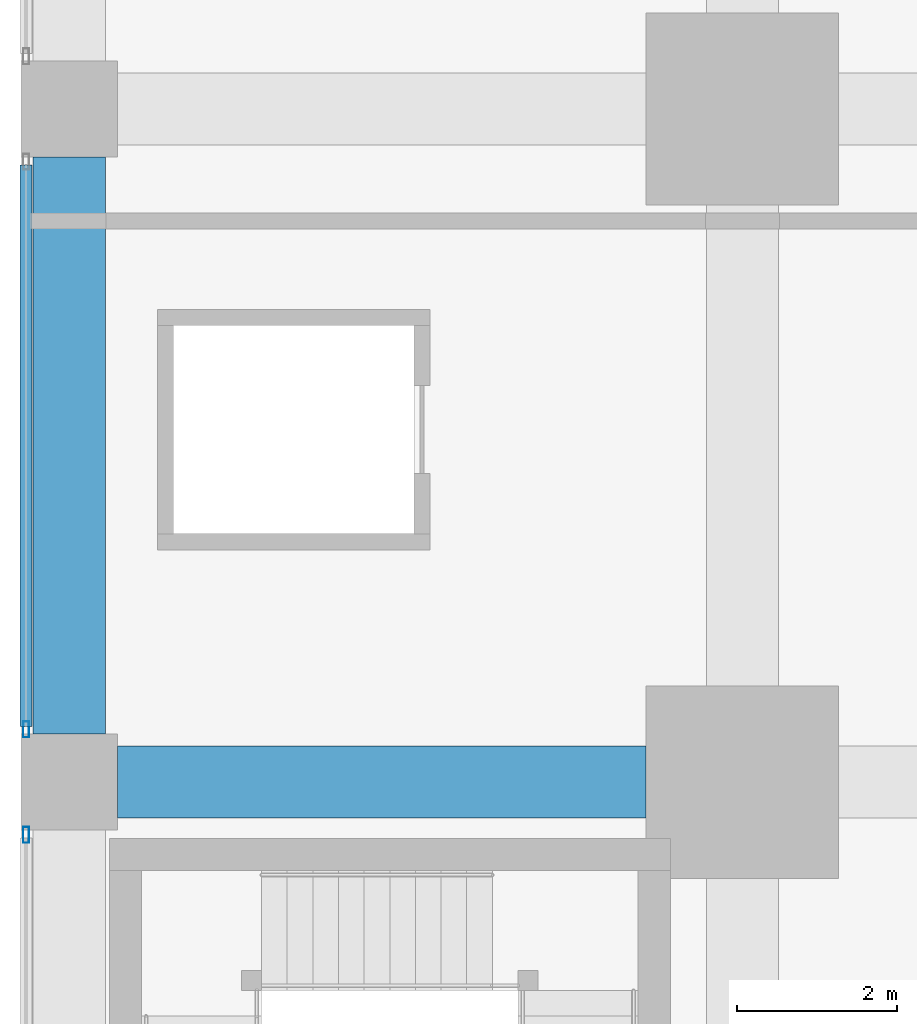
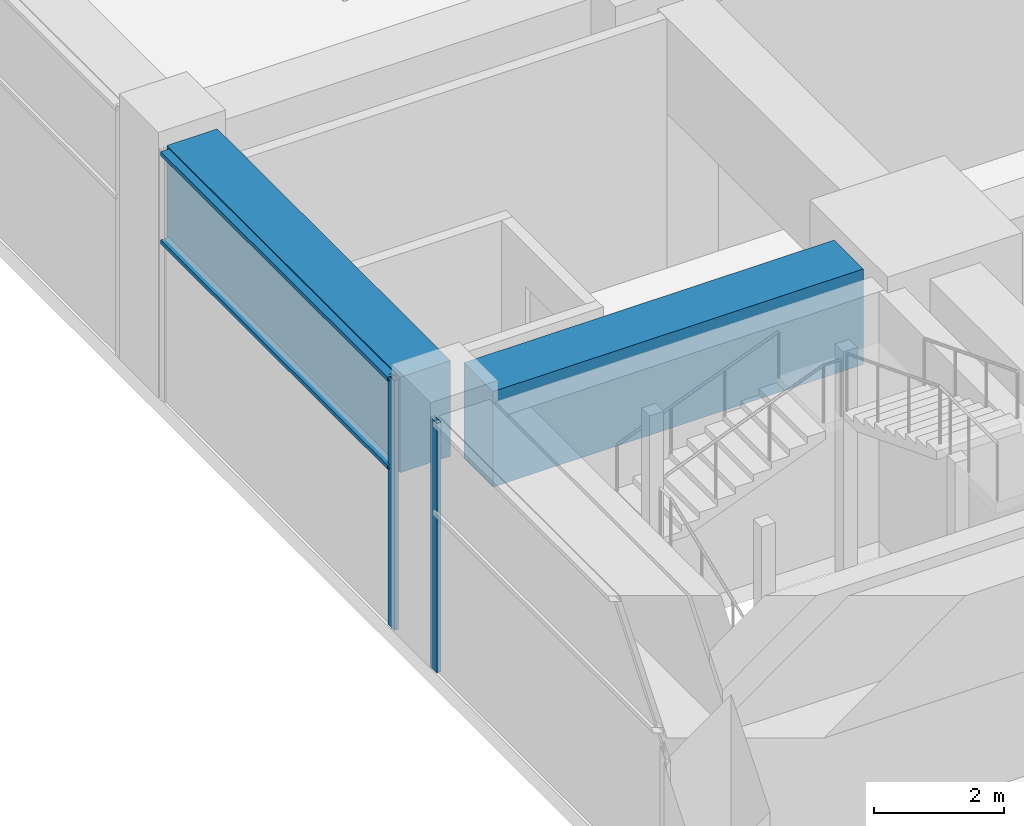
# One storey, part 17 of 48: 4 members, 2 beams, 2 elements without a shape of their own.
"""IFC4 building model written with IfcOpenShell, lengths in metres."""

import ifcopenshell
import ifcopenshell.guid

model = None  # the IFC model being written
_history = None  # IfcOwnerHistory: only IFC2X3 demands one
_inside = {}  # id of a spatial element -> (the spatial element, [elements in it])
_under = {}  # id of a project, library or spatial element -> (it, [spatial elements below it])
_declared = {}  # id of a project -> (the project, [libraries it declares])
_typed = {}  # id of a type object -> (the type object, [elements of that type])
_made_of = {}  # id of a material, layer set ... -> (it, [elements and type objects made of it])


def new_model(schema):
    """Start an empty IFC model of exactly this schema.

    Asked for "IFC4X3", IfcOpenShell would pick the latest addendum, in which some entities
    have other attributes; the version numbers below select the first issue.
    IFC2X3 requires an IfcOwnerHistory on every rooted entity: one is made here for all.
    """
    global model, _history
    if schema == "IFC4X3":
        model = ifcopenshell.file(schema_version=(4, 3, 0, 0))
    else:
        model = ifcopenshell.file(schema=schema)
    _inside.clear()
    _under.clear()
    _declared.clear()
    _typed.clear()
    _made_of.clear()
    _history = None
    if model.schema == "IFC2X3":
        org = make("IfcOrganization", Name="unknown")
        user = make(
            "IfcPersonAndOrganization",
            ThePerson=make("IfcPerson", FamilyName="unknown"),
            TheOrganization=org,
        )
        app = make(
            "IfcApplication",
            ApplicationDeveloper=org,
            Version="unknown",
            ApplicationFullName="unknown",
            ApplicationIdentifier="unknown",
        )
        _history = make(
            "IfcOwnerHistory",
            OwningUser=user,
            OwningApplication=app,
            ChangeAction="ADDED",
            CreationDate=0,
        )
    return model


def make(cls, **values):
    """One entity of the class cls with the attributes given. An attribute that is None is left unset."""
    return model.create_entity(
        cls, **{name: value for name, value in values.items() if value is not None}
    )


def rooted(cls, **values):
    """An entity with a GlobalId (a new one), such as an element, a storey or a relation."""
    return make(cls, GlobalId=ifcopenshell.guid.new(), OwnerHistory=_history, **values)


def si_unit(unit_type, name, prefix=None):
    """IfcSIUnit, for example si_unit("LENGTHUNIT", "METRE", prefix="MILLI")."""
    return make("IfcSIUnit", UnitType=unit_type, Prefix=prefix, Name=name)


def assignment(units):
    """IfcUnitAssignment: the units of a project."""
    return None if units is None else make("IfcUnitAssignment", Units=units)


def point(xyz):
    """IfcCartesianPoint."""
    return None if xyz is None else make("IfcCartesianPoint", Coordinates=xyz)


def direction(xyz):
    """IfcDirection."""
    return None if xyz is None else make("IfcDirection", DirectionRatios=xyz)


def frame(location, z_axis=None, x_axis=None):
    """IfcAxis2Placement3D, a coordinate frame: its origin and axes. An axis left out is left unset."""
    return make(
        "IfcAxis2Placement3D",
        Location=point(location),
        Axis=direction(z_axis),
        RefDirection=direction(x_axis),
    )


def frame_2d(location, x_axis=None):
    """IfcAxis2Placement2D, a coordinate frame in the plane: its origin and x axis."""
    return make(
        "IfcAxis2Placement2D", Location=point(location), RefDirection=direction(x_axis)
    )


def origin():
    """The frame at (0, 0, 0) with its axes left unset."""
    return frame((0.0, 0.0, 0.0))


def origin_2d():
    """The frame at (0, 0) in the plane with its x axis left unset."""
    return frame_2d((0.0, 0.0))


def place(relative_to, where):
    """IfcLocalPlacement: puts the frame where relative to a parent placement (None: the world)."""
    return make(
        "IfcLocalPlacement", PlacementRelTo=relative_to, RelativePlacement=where
    )


def context(
    kind, dimensions, precision=None, world=None, true_north=None, identifier=None
):
    """IfcGeometricRepresentationContext, for example the 3D "Model" context."""
    return make(
        "IfcGeometricRepresentationContext",
        ContextIdentifier=identifier,
        ContextType=kind,
        CoordinateSpaceDimension=dimensions,
        Precision=precision,
        WorldCoordinateSystem=world,
        TrueNorth=true_north,
    )


def subcontext(parent, identifier, kind, view, scale=None):
    """IfcGeometricRepresentationSubContext, for example "Body" below "Model"."""
    return make(
        "IfcGeometricRepresentationSubContext",
        ContextIdentifier=identifier,
        ContextType=kind,
        ParentContext=parent,
        TargetScale=scale,
        TargetView=view,
    )


def project(units=None, contexts=None):
    """IfcProject with its units and contexts."""
    return rooted(
        "IfcProject",
        Name="project",
        RepresentationContexts=contexts,
        UnitsInContext=assignment(units),
    )


def spatial(cls, under=None, at=None, **own):
    """A site, building, storey or space (cls), placed at a placement, below another one or the project."""
    s = rooted(cls, ObjectPlacement=at, **own)
    if under is not None:
        _under.setdefault(under.id(), (under, []))[1].append(s)
    return s


def profile(cls, at=None, kind="AREA", **sizes):
    """A parametric profile (cls). Its sizes go by their IFC names, for example OverallWidth=200.0."""
    return make(cls, ProfileType=kind, Position=at, **sizes)


def rectangle(**sizes):
    """IfcRectangleProfileDef."""
    return profile("IfcRectangleProfileDef", **sizes)


def hollow_rectangle(**sizes):
    """IfcRectangleHollowProfileDef."""
    return profile("IfcRectangleHollowProfileDef", **sizes)


def extrude(swept, where, along, depth):
    """IfcExtrudedAreaSolid: the profile swept, set in the frame where, extruded along a direction by depth."""
    return make(
        "IfcExtrudedAreaSolid",
        SweptArea=swept,
        Position=where,
        ExtrudedDirection=direction(along),
        Depth=depth,
    )


def shape(context_of_items, identifier, shape_type, items):
    """IfcShapeRepresentation: the items that make up one representation, for example the "Body"."""
    return make(
        "IfcShapeRepresentation",
        ContextOfItems=context_of_items,
        RepresentationIdentifier=identifier,
        RepresentationType=shape_type,
        Items=items,
    )


def material(Name=None, Category=None):
    """IfcMaterial."""
    return make("IfcMaterial", Name=Name, Category=Category)


def material_profile(
    of_material, cross_section, Name=None, Category=None, Priority=None
):
    """IfcMaterialProfile: a cross section and its material."""
    return make(
        "IfcMaterialProfile",
        Name=Name,
        Material=of_material,
        Profile=cross_section,
        Priority=Priority,
        Category=Category,
    )


def profile_set(profiles, Name=None, composite=None):
    """IfcMaterialProfileSet."""
    return make(
        "IfcMaterialProfileSet",
        Name=Name,
        MaterialProfiles=profiles,
        CompositeProfile=composite,
    )


def made_of(thing, what):
    """Note that an element or type object is made of a material, layer set ...; save() writes the relation."""
    if what is not None:
        _made_of.setdefault(what.id(), (what, []))[1].append(thing)
    return thing


def type_object(cls, material=None, **own):
    """A type object (cls), such as IfcWallType, which elements share."""
    return made_of(rooted(cls, **own), material)


def element(
    cls,
    number,
    at=None,
    inside=None,
    cuts=None,
    type_object=None,
    material=None,
    context=None,
    identifier="Body",
    shape_type=None,
    held_by="IfcProductDefinitionShape",
    body=None,
    shapes=None,
    **own,
):
    """One element of the class cls, such as IfcWall. Its Tag is "e" and its number.

    at: its placement. inside: the storey or other place that contains it. cuts: it is an
    opening in that element (IfcRelVoidsElement). A single representation is given by context,
    identifier, shape_type and body (its items); several are given by shapes. held_by: the class
    of the entity that holds the representations. save() writes the other relations.
    """
    e = rooted(cls, Tag="e%d" % number, ObjectPlacement=at, **own)
    if body is not None:
        shapes = [shape(context, identifier, shape_type, body)]
    if shapes is not None:
        e.Representation = make(held_by, Representations=shapes)
    if inside is not None:
        _inside.setdefault(inside.id(), (inside, []))[1].append(e)
    if cuts is not None:
        rooted(
            "IfcRelVoidsElement", RelatingBuildingElement=cuts, RelatedOpeningElement=e
        )
    if type_object is not None:
        _typed.setdefault(type_object.id(), (type_object, []))[1].append(e)
    return made_of(e, material)


def aggregate(whole, parts):
    """IfcRelAggregates: a whole, such as a stair, and the parts it consists of."""
    return rooted("IfcRelAggregates", RelatingObject=whole, RelatedObjects=parts)


def save(model, path):
    """Write the relations noted so far, then the file.

    IfcRelAggregates (storeys below a building ...), IfcRelContainedInSpatialStructure (elements
    in a storey), IfcRelDefinesByType, IfcRelAssociatesMaterial and IfcRelDeclares: one each for
    every whole, place, type object, material and project.
    """
    for whole, parts in _under.values():
        aggregate(whole, parts)
    for where, things in _inside.values():
        rooted(
            "IfcRelContainedInSpatialStructure",
            RelatedElements=things,
            RelatingStructure=where,
        )
    for kind, things in _typed.values():
        rooted("IfcRelDefinesByType", RelatedObjects=things, RelatingType=kind)
    for what, things in _made_of.values():
        rooted("IfcRelAssociatesMaterial", RelatedObjects=things, RelatingMaterial=what)
    for by, libraries in _declared.values():
        rooted("IfcRelDeclares", RelatingContext=by, RelatedDefinitions=libraries)
    model.write(path)


model = new_model("IFC4")

# Units and contexts
model_context = context("Model", 3, precision=1e-05, world=origin(), true_north=direction((0.0, 1.0)))
body_context = subcontext(model_context, "Body", "Model", "MODEL_VIEW")
ifc_project = project(units=[si_unit("LENGTHUNIT", "METRE"), si_unit("AREAUNIT", "SQUARE_METRE"), si_unit("VOLUMEUNIT", "CUBIC_METRE"), si_unit("PLANEANGLEUNIT", "RADIAN"), si_unit("MASSUNIT", "GRAM", prefix="KILO")], contexts=[model_context])

# Site, building, storey
site_placement = place(None, origin())
site = spatial("IfcSite", under=ifc_project, at=site_placement, CompositionType="ELEMENT")
building_placement = place(site_placement, origin())
building = spatial("IfcBuilding", under=site, at=building_placement, Name="Rekha Terrace Tower", CompositionType="ELEMENT")
storey_placement = place(building_placement, frame((0.0, 0.0, 15.39990234375)))
storey = spatial("IfcBuildingStorey", under=building, at=storey_placement, Name="L03", CompositionType="ELEMENT", Elevation=15.39990234375)

# Curtain wall, member
ifc_material_1 = material(Name="Aluminium framing", Category="aluminium")
curtain_wall_type = type_object("IfcCurtainWallType", Name="CW4 podium shopfront glazing", PredefinedType="USERDEFINED", material=ifc_material_1)
curtain_wall_1_placement = place(storey_placement, origin())
curtain_wall_1 = element("IfcCurtainWall", 1, at=curtain_wall_1_placement, inside=storey, type_object=curtain_wall_type, Name="CW4 shopfront curtain wall", ObjectType="SHOPFRONT CURTAIN WALL", PredefinedType="USERDEFINED")
ifc_material_2 = material(Name="Aluminium mullion section", Category="aluminium")
ifc_material_profile_1 = material_profile(ifc_material_2, hollow_rectangle(XDim=0.074951171875, YDim=0.199951171875, WallThickness=0.00390625, at=origin_2d()), Name="AL RHS 75x200")
ifc_profile_set_1 = profile_set([ifc_material_profile_1], Name="Aluminium mullion section")
member_type_1 = type_object("IfcMemberType", Name="CW4 mullion RHS 75 x 200", PredefinedType="MULLION", material=ifc_profile_set_1)
member_1_placement = place(storey_placement, frame((-0.5400390625, 34.257568359375, 0.0), z_axis=(0.0, 0.0, 1.0), x_axis=(1.0, 0.0, 0.0)))
member_1 = element("IfcMember", 2, at=member_1_placement, type_object=member_type_1, Name="CW4 mullion 2", PredefinedType="MULLION", context=body_context, shape_type="SweptSolid", body=[
    extrude(hollow_rectangle(XDim=0.074951171875, YDim=0.199951171875, WallThickness=0.00390625, at=origin_2d()), origin(), (0.0, 0.0, 1.0), 4.7001953125),
])

curtain_wall_2_placement = place(storey_placement, origin())
curtain_wall_2 = element("IfcCurtainWall", 3, at=curtain_wall_2_placement, inside=storey, type_object=curtain_wall_type, Name="CW4 shopfront curtain wall", ObjectType="SHOPFRONT CURTAIN WALL", PredefinedType="USERDEFINED")
member_2_placement = place(storey_placement, frame((-0.5400390625, 32.9423828125, 0.0), z_axis=(0.0, 0.0, 1.0), x_axis=(1.0, 0.0, 0.0)))
member_2 = element("IfcMember", 4, at=member_2_placement, type_object=member_type_1, Name="CW4 mullion 1", PredefinedType="MULLION", context=body_context, shape_type="SweptSolid", body=[
    extrude(hollow_rectangle(XDim=0.074951171875, YDim=0.199951171875, WallThickness=0.00390625, at=origin_2d()), origin(), (0.0, 0.0, 1.0), 4.7001953125),
])
aggregate(curtain_wall_2, [member_2])

# Member
ifc_material_3 = material(Name="Aluminium transom section", Category="aluminium")
ifc_material_profile_2 = material_profile(ifc_material_3, hollow_rectangle(XDim=0.14990234375, YDim=0.074951171875, WallThickness=0.0029296875, at=origin_2d()), Name="AL RHS 150x75")
ifc_profile_set_2 = profile_set([ifc_material_profile_2], Name="Aluminium transom section")
member_type_2 = type_object("IfcMemberType", Name="CW4 transom RHS 75 x 150", PredefinedType="USERDEFINED", material=ifc_profile_set_2)
member_3_placement = place(storey_placement, frame((-0.5400390625, 41.304931640625, 3.0), z_axis=(0.0, -1.0, 0.0), x_axis=(1.0, 0.0, 0.0)))
member_3 = element("IfcMember", 5, at=member_3_placement, type_object=member_type_2, Name="CW4 transom 1.2", ObjectType="TRANSOM", PredefinedType="USERDEFINED", context=body_context, shape_type="SweptSolid", body=[
    extrude(hollow_rectangle(XDim=0.14990234375, YDim=0.074951171875, WallThickness=0.0029296875, at=origin_2d()), origin(), (0.0, 0.0, 1.0), 7.010009765625),
])

member_4_placement = place(storey_placement, frame((-0.5400390625, 41.304931640625, 4.66259765625), z_axis=(0.0, -1.0, 0.0), x_axis=(1.0, 0.0, 0.0)))
member_4 = element("IfcMember", 6, at=member_4_placement, type_object=member_type_2, Name="CW4 transom 1.3", ObjectType="TRANSOM", PredefinedType="USERDEFINED", context=body_context, shape_type="SweptSolid", body=[
    extrude(hollow_rectangle(XDim=0.14990234375, YDim=0.074951171875, WallThickness=0.0029296875, at=origin_2d()), origin(), (0.0, 0.0, 1.0), 7.010009765625),
])

aggregate(curtain_wall_1, [member_1, member_3, member_4])

# Beams
ifc_material_4 = material(Name="Concrete M60", Category="concrete")
ifc_material_profile_3 = material_profile(ifc_material_4, rectangle(XDim=0.89990234375, YDim=1.800048828125, at=origin_2d()), Name="RC 900x1800")
ifc_profile_set_3 = profile_set([ifc_material_profile_3], Name="Concrete M60")
beam_type = type_object("IfcBeamType", Name="G1 900x1800 podium floor beam", PredefinedType="BEAM", material=ifc_profile_set_3)
beam_1_placement = place(storey_placement, frame((0.60009765625, 33.60009765625, 3.800048828125), z_axis=(1.0, 0.0, 0.0), x_axis=(0.0, 1.0, 0.0)))
element("IfcBeam", 7, at=beam_1_placement, inside=storey, type_object=beam_type, Name="Beam G1 1E-2E under L04", PredefinedType="BEAM", context=body_context, shape_type="SweptSolid", body=[
    extrude(rectangle(XDim=0.89990234375, YDim=1.800048828125, at=origin_2d()), origin(), (0.0, 0.0, 1.0), 6.599853515625),
])
beam_2_placement = place(storey_placement, frame((0.0, 34.199951171875, 3.800048828125), z_axis=(0.0, 1.0, 0.0), x_axis=(-1.0, 0.0, 0.0)))
element("IfcBeam", 8, at=beam_2_placement, inside=storey, type_object=beam_type, Name="Beam G1 1E-1F under L04", PredefinedType="BEAM", context=body_context, shape_type="SweptSolid", body=[
    extrude(rectangle(XDim=0.89990234375, YDim=1.800048828125, at=origin_2d()), origin(), (0.0, 0.0, 1.0), 7.199951171875),
])

save(model, "model.ifc")
